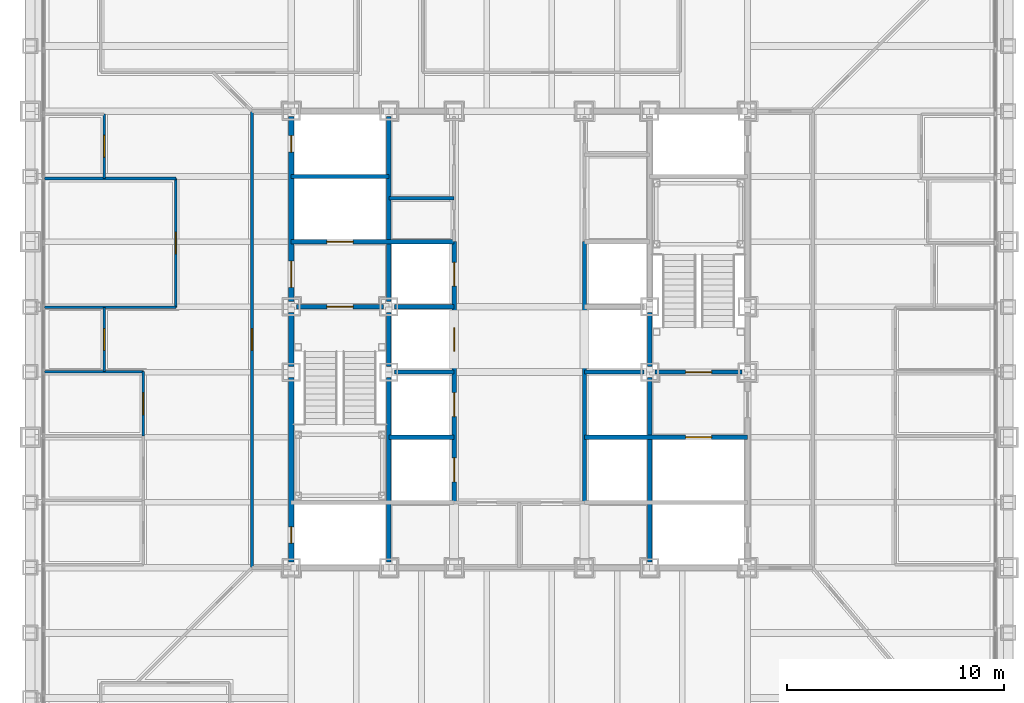
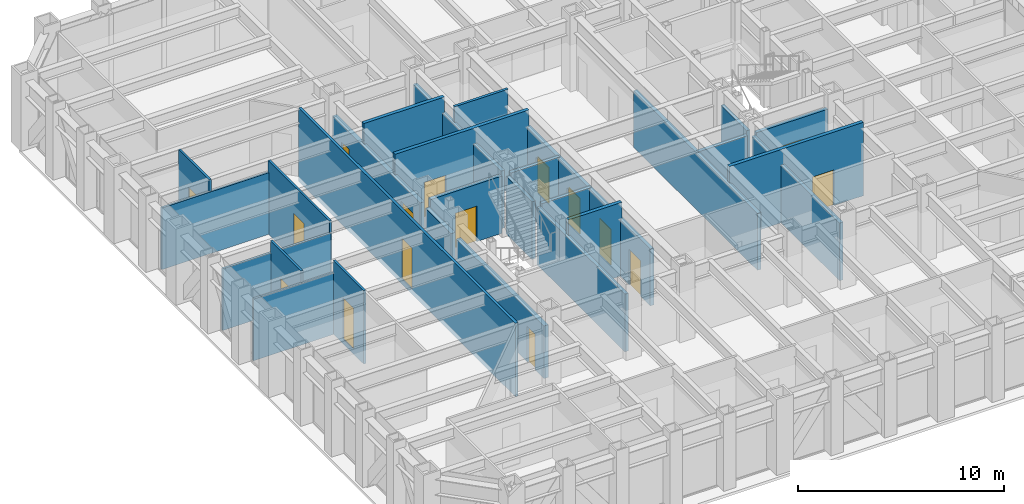
# One storey, part 9 of 16: 28 walls, 16 doors, 16 openings.
"""IFC4 building model written with IfcOpenShell, lengths in metres."""

import ifcopenshell
import ifcopenshell.guid

model = None  # the IFC model being written
_history = None  # IfcOwnerHistory: only IFC2X3 demands one
_inside = {}  # id of a spatial element -> (the spatial element, [elements in it])
_under = {}  # id of a project, library or spatial element -> (it, [spatial elements below it])
_declared = {}  # id of a project -> (the project, [libraries it declares])
_typed = {}  # id of a type object -> (the type object, [elements of that type])
_made_of = {}  # id of a material, layer set ... -> (it, [elements and type objects made of it])


def new_model(schema):
    """Start an empty IFC model of exactly this schema.

    Asked for "IFC4X3", IfcOpenShell would pick the latest addendum, in which some entities
    have other attributes; the version numbers below select the first issue.
    IFC2X3 requires an IfcOwnerHistory on every rooted entity: one is made here for all.
    """
    global model, _history
    if schema == "IFC4X3":
        model = ifcopenshell.file(schema_version=(4, 3, 0, 0))
    else:
        model = ifcopenshell.file(schema=schema)
    _inside.clear()
    _under.clear()
    _declared.clear()
    _typed.clear()
    _made_of.clear()
    _history = None
    if model.schema == "IFC2X3":
        org = make("IfcOrganization", Name="unknown")
        user = make(
            "IfcPersonAndOrganization",
            ThePerson=make("IfcPerson", FamilyName="unknown"),
            TheOrganization=org,
        )
        app = make(
            "IfcApplication",
            ApplicationDeveloper=org,
            Version="unknown",
            ApplicationFullName="unknown",
            ApplicationIdentifier="unknown",
        )
        _history = make(
            "IfcOwnerHistory",
            OwningUser=user,
            OwningApplication=app,
            ChangeAction="ADDED",
            CreationDate=0,
        )
    return model


def make(cls, **values):
    """One entity of the class cls with the attributes given. An attribute that is None is left unset."""
    return model.create_entity(
        cls, **{name: value for name, value in values.items() if value is not None}
    )


def rooted(cls, **values):
    """An entity with a GlobalId (a new one), such as an element, a storey or a relation."""
    return make(cls, GlobalId=ifcopenshell.guid.new(), OwnerHistory=_history, **values)


def si_unit(unit_type, name, prefix=None):
    """IfcSIUnit, for example si_unit("LENGTHUNIT", "METRE", prefix="MILLI")."""
    return make("IfcSIUnit", UnitType=unit_type, Prefix=prefix, Name=name)


def assignment(units):
    """IfcUnitAssignment: the units of a project."""
    return None if units is None else make("IfcUnitAssignment", Units=units)


def point(xyz):
    """IfcCartesianPoint."""
    return None if xyz is None else make("IfcCartesianPoint", Coordinates=xyz)


def direction(xyz):
    """IfcDirection."""
    return None if xyz is None else make("IfcDirection", DirectionRatios=xyz)


def frame(location, z_axis=None, x_axis=None):
    """IfcAxis2Placement3D, a coordinate frame: its origin and axes. An axis left out is left unset."""
    return make(
        "IfcAxis2Placement3D",
        Location=point(location),
        Axis=direction(z_axis),
        RefDirection=direction(x_axis),
    )


def frame_2d(location, x_axis=None):
    """IfcAxis2Placement2D, a coordinate frame in the plane: its origin and x axis."""
    return make(
        "IfcAxis2Placement2D", Location=point(location), RefDirection=direction(x_axis)
    )


def origin():
    """The frame at (0, 0, 0) with its axes left unset."""
    return frame((0.0, 0.0, 0.0))


def place(relative_to, where):
    """IfcLocalPlacement: puts the frame where relative to a parent placement (None: the world)."""
    return make(
        "IfcLocalPlacement", PlacementRelTo=relative_to, RelativePlacement=where
    )


def context(
    kind, dimensions, precision=None, world=None, true_north=None, identifier=None
):
    """IfcGeometricRepresentationContext, for example the 3D "Model" context."""
    return make(
        "IfcGeometricRepresentationContext",
        ContextIdentifier=identifier,
        ContextType=kind,
        CoordinateSpaceDimension=dimensions,
        Precision=precision,
        WorldCoordinateSystem=world,
        TrueNorth=true_north,
    )


def subcontext(parent, identifier, kind, view, scale=None):
    """IfcGeometricRepresentationSubContext, for example "Body" below "Model"."""
    return make(
        "IfcGeometricRepresentationSubContext",
        ContextIdentifier=identifier,
        ContextType=kind,
        ParentContext=parent,
        TargetScale=scale,
        TargetView=view,
    )


def project(units=None, contexts=None):
    """IfcProject with its units and contexts."""
    return rooted(
        "IfcProject",
        Name="project",
        RepresentationContexts=contexts,
        UnitsInContext=assignment(units),
    )


def spatial(cls, under=None, at=None, **own):
    """A site, building, storey or space (cls), placed at a placement, below another one or the project."""
    s = rooted(cls, ObjectPlacement=at, **own)
    if under is not None:
        _under.setdefault(under.id(), (under, []))[1].append(s)
    return s


def profile(cls, at=None, kind="AREA", **sizes):
    """A parametric profile (cls). Its sizes go by their IFC names, for example OverallWidth=200.0."""
    return make(cls, ProfileType=kind, Position=at, **sizes)


def rectangle(**sizes):
    """IfcRectangleProfileDef."""
    return profile("IfcRectangleProfileDef", **sizes)


def extrude(swept, where, along, depth):
    """IfcExtrudedAreaSolid: the profile swept, set in the frame where, extruded along a direction by depth."""
    return make(
        "IfcExtrudedAreaSolid",
        SweptArea=swept,
        Position=where,
        ExtrudedDirection=direction(along),
        Depth=depth,
    )


def shape(context_of_items, identifier, shape_type, items):
    """IfcShapeRepresentation: the items that make up one representation, for example the "Body"."""
    return make(
        "IfcShapeRepresentation",
        ContextOfItems=context_of_items,
        RepresentationIdentifier=identifier,
        RepresentationType=shape_type,
        Items=items,
    )


def material(Name=None, Category=None):
    """IfcMaterial."""
    return make("IfcMaterial", Name=Name, Category=Category)


def layer(
    of_material, thickness, ventilated=None, Name=None, Category=None, Priority=None
):
    """IfcMaterialLayer: one layer of a wall or slab, of a material (None: an air gap)."""
    return make(
        "IfcMaterialLayer",
        Material=of_material,
        LayerThickness=thickness,
        IsVentilated=ventilated,
        Name=Name,
        Category=Category,
        Priority=Priority,
    )


def layer_set(layers, Name=None):
    """IfcMaterialLayerSet."""
    return make("IfcMaterialLayerSet", MaterialLayers=layers, LayerSetName=Name)


def made_of(thing, what):
    """Note that an element or type object is made of a material, layer set ...; save() writes the relation."""
    if what is not None:
        _made_of.setdefault(what.id(), (what, []))[1].append(thing)
    return thing


def type_object(cls, material=None, **own):
    """A type object (cls), such as IfcWallType, which elements share."""
    return made_of(rooted(cls, **own), material)


def element(
    cls,
    number,
    at=None,
    inside=None,
    cuts=None,
    type_object=None,
    material=None,
    context=None,
    identifier="Body",
    shape_type=None,
    held_by="IfcProductDefinitionShape",
    body=None,
    shapes=None,
    **own,
):
    """One element of the class cls, such as IfcWall. Its Tag is "e" and its number.

    at: its placement. inside: the storey or other place that contains it. cuts: it is an
    opening in that element (IfcRelVoidsElement). A single representation is given by context,
    identifier, shape_type and body (its items); several are given by shapes. held_by: the class
    of the entity that holds the representations. save() writes the other relations.
    """
    e = rooted(cls, Tag="e%d" % number, ObjectPlacement=at, **own)
    if body is not None:
        shapes = [shape(context, identifier, shape_type, body)]
    if shapes is not None:
        e.Representation = make(held_by, Representations=shapes)
    if inside is not None:
        _inside.setdefault(inside.id(), (inside, []))[1].append(e)
    if cuts is not None:
        rooted(
            "IfcRelVoidsElement", RelatingBuildingElement=cuts, RelatedOpeningElement=e
        )
    if type_object is not None:
        _typed.setdefault(type_object.id(), (type_object, []))[1].append(e)
    return made_of(e, material)


def fill(opening, filler):
    """IfcRelFillsElement: the door or window that sits in an opening."""
    return rooted(
        "IfcRelFillsElement",
        RelatingOpeningElement=opening,
        RelatedBuildingElement=filler,
    )


def aggregate(whole, parts):
    """IfcRelAggregates: a whole, such as a stair, and the parts it consists of."""
    return rooted("IfcRelAggregates", RelatingObject=whole, RelatedObjects=parts)


def save(model, path):
    """Write the relations noted so far, then the file.

    IfcRelAggregates (storeys below a building ...), IfcRelContainedInSpatialStructure (elements
    in a storey), IfcRelDefinesByType, IfcRelAssociatesMaterial and IfcRelDeclares: one each for
    every whole, place, type object, material and project.
    """
    for whole, parts in _under.values():
        aggregate(whole, parts)
    for where, things in _inside.values():
        rooted(
            "IfcRelContainedInSpatialStructure",
            RelatedElements=things,
            RelatingStructure=where,
        )
    for kind, things in _typed.values():
        rooted("IfcRelDefinesByType", RelatedObjects=things, RelatingType=kind)
    for what, things in _made_of.values():
        rooted("IfcRelAssociatesMaterial", RelatedObjects=things, RelatingMaterial=what)
    for by, libraries in _declared.values():
        rooted("IfcRelDeclares", RelatingContext=by, RelatedDefinitions=libraries)
    model.write(path)


model = new_model("IFC4")

# Units and contexts
model_context = context("Model", 3, precision=1e-05, world=origin(), true_north=direction((0.0, 1.0)))
body_context = subcontext(model_context, "Body", "Model", "MODEL_VIEW")
ifc_project = project(units=[si_unit("LENGTHUNIT", "METRE"), si_unit("AREAUNIT", "SQUARE_METRE"), si_unit("VOLUMEUNIT", "CUBIC_METRE"), si_unit("PLANEANGLEUNIT", "RADIAN"), si_unit("MASSUNIT", "GRAM", prefix="KILO")], contexts=[model_context])

# Site, building, storey
site_placement = place(None, origin())
site = spatial("IfcSite", under=ifc_project, at=site_placement, CompositionType="ELEMENT")
building_placement = place(site_placement, origin())
building = spatial("IfcBuilding", under=site, at=building_placement, Name="Chuquiago Exchange Tower", CompositionType="ELEMENT")
storey_placement = place(building_placement, frame((0.0, 0.0, 33.300048828125)))
storey = spatial("IfcBuildingStorey", under=building, at=storey_placement, Name="L06", CompositionType="ELEMENT", Elevation=33.300048828125)

# Wall, opening, door
ifc_material_1 = material(Name="Concrete masonry, fully grouted", Category="masonry")
ifc_layer_1 = layer(ifc_material_1, 0.25)
ifc_layer_set_1 = layer_set([ifc_layer_1], Name="W1 core wall 250")
wall_type_1 = type_object("IfcWallType", Name="W1 core wall 250", PredefinedType="SOLIDWALL", material=ifc_layer_set_1)
wall_1_placement = place(storey_placement, frame((12.0, 12.25, 0.0), z_axis=(0.0, 0.0, 1.0), x_axis=(0.0, 1.0, 0.0)))
wall_1 = element("IfcWall", 1, at=wall_1_placement, inside=storey, type_object=wall_type_1, Name="CW-L06-00-0", PredefinedType="SOLIDWALL", context=body_context, shape_type="SweptSolid", body=[
    extrude(rectangle(XDim=8.5, YDim=0.25, at=frame_2d((4.25, 0.0))), origin(), (0.0, 0.0, 1.0), 3.11279296875),
])
opening_1_placement = place(wall_1_placement, frame((0.875, 0.0, 0.0)))
opening_1 = element("IfcOpeningElement", 2, at=opening_1_placement, cuts=wall_1, Name="Opening L06-007", PredefinedType="OPENING", context=body_context, shape_type="SweptSolid", body=[
    extrude(rectangle(XDim=0.75, YDim=2.10009765625, at=frame_2d((0.375, 1.050048828125))), frame((0.0, 0.135009765625, 0.0), z_axis=(0.0, -1.0, 0.0), x_axis=(1.0, 0.0, 0.0)), (0.0, 0.0, 1.0), 0.27001953125),
])
ifc_material_2 = material(Name="Steel door, painted", Category="steel")
door_type_1 = type_object("IfcDoorType", Name="D6 riser access door 750x2100", OperationType="SINGLE_SWING_LEFT", PredefinedType="DOOR", material=ifc_material_2)
door_1_placement = place(opening_1_placement, origin())
door_1 = element("IfcDoor", 3, at=door_1_placement, inside=storey, type_object=door_type_1, Name="Riser RW1 door", OperationType="SINGLE_SWING_LEFT", OverallHeight=2.10009765625, OverallWidth=0.75, PredefinedType="DOOR", context=body_context, shape_type="SweptSolid", body=[
    extrude(rectangle(XDim=0.75, YDim=2.10009765625, at=frame_2d((0.375, 1.050048828125))), frame((0.0, 0.02490234375, 0.0), z_axis=(0.0, -1.0, 0.0), x_axis=(1.0, 0.0, 0.0)), (0.0, 0.0, 1.0), 0.050048828125),
])
fill(opening_1, door_1)

# Wall
wall_2_placement = place(storey_placement, frame((12.0, 21.25, 0.0), z_axis=(0.0, 0.0, 1.0), x_axis=(0.0, 1.0, 0.0)))
element("IfcWall", 4, at=wall_2_placement, inside=storey, type_object=wall_type_1, Name="CW-L06-00-1", PredefinedType="SOLIDWALL", context=body_context, shape_type="SweptSolid", body=[
    extrude(rectangle(XDim=2.5, YDim=0.25, at=frame_2d((1.25, 0.0))), origin(), (0.0, 0.0, 1.0), 3.11279296875),
])

# Wall, openings, doors
wall_3_placement = place(storey_placement, frame((12.0, 24.25, 0.0), z_axis=(0.0, 0.0, 1.0), x_axis=(0.0, 1.0, 0.0)))
wall_3 = element("IfcWall", 5, at=wall_3_placement, inside=storey, type_object=wall_type_1, Name="CW-L06-00-2", PredefinedType="SOLIDWALL", context=body_context, shape_type="SweptSolid", body=[
    extrude(rectangle(XDim=8.5, YDim=0.25, at=frame_2d((4.25, 0.0))), origin(), (0.0, 0.0, 1.0), 3.11279296875),
])
opening_2_placement = place(wall_3_placement, frame((0.64990234375, 0.0, 0.0)))
opening_2 = element("IfcOpeningElement", 6, at=opening_2_placement, cuts=wall_3, Name="Opening L06-002", PredefinedType="OPENING", context=body_context, shape_type="SweptSolid", body=[
    extrude(rectangle(XDim=1.199951171875, YDim=2.10009765625, at=frame_2d((0.60009765625, 1.050048828125))), frame((0.0, 0.135009765625, 0.0), z_axis=(0.0, -1.0, 0.0), x_axis=(1.0, 0.0, 0.0)), (0.0, 0.0, 1.0), 0.27001953125),
])
opening_3_placement = place(wall_3_placement, frame((6.875, 0.0, 0.0)))
opening_3 = element("IfcOpeningElement", 7, at=opening_3_placement, cuts=wall_3, Name="Opening L06-008", PredefinedType="OPENING", context=body_context, shape_type="SweptSolid", body=[
    extrude(rectangle(XDim=0.75, YDim=2.10009765625, at=frame_2d((0.375, 1.050048828125))), frame((0.0, 0.135009765625, 0.0), z_axis=(0.0, -1.0, 0.0), x_axis=(1.0, 0.0, 0.0)), (0.0, 0.0, 1.0), 0.27001953125),
])
ifc_material_3 = material(Name="Steel door, painted", Category="steel")
door_type_2 = type_object("IfcDoorType", Name="D5 firefighting lobby door 1200x2100", OperationType="SINGLE_SWING_LEFT", PredefinedType="DOOR", material=ifc_material_3)
door_2_placement = place(opening_2_placement, frame((1.199951171875, 0.0, 0.0), z_axis=(0.0, 0.0, 1.0), x_axis=(-1.0, 0.0, 0.0)))
door_2 = element("IfcDoor", 8, at=door_2_placement, inside=storey, type_object=door_type_2, Name="Firefighting lobby 1 door", OperationType="SINGLE_SWING_RIGHT", OverallHeight=2.10009765625, OverallWidth=1.199951171875, PredefinedType="DOOR", context=body_context, shape_type="SweptSolid", body=[
    extrude(rectangle(XDim=1.199951171875, YDim=2.10009765625, at=frame_2d((0.60009765625, 1.050048828125))), frame((0.0, 0.02490234375, 0.0), z_axis=(0.0, -1.0, 0.0), x_axis=(1.0, 0.0, 0.0)), (0.0, 0.0, 1.0), 0.050048828125),
])
fill(opening_2, door_2)
door_3_placement = place(opening_3_placement, origin())
door_3 = element("IfcDoor", 9, at=door_3_placement, inside=storey, type_object=door_type_1, Name="Riser RW2 door", OperationType="SINGLE_SWING_RIGHT", OverallHeight=2.10009765625, OverallWidth=0.75, PredefinedType="DOOR", context=body_context, shape_type="SweptSolid", body=[
    extrude(rectangle(XDim=0.75, YDim=2.10009765625, at=frame_2d((0.375, 1.050048828125))), frame((0.0, 0.02490234375, 0.0), z_axis=(0.0, -1.0, 0.0), x_axis=(1.0, 0.0, 0.0)), (0.0, 0.0, 1.0), 0.050048828125),
])
fill(opening_3, door_3)

# Wall, opening, door
ifc_material_4 = material(Name="Gypsum board on steel studs, acoustic insulation", Category="steel")
ifc_layer_2 = layer(ifc_material_4, 0.14990234375)
ifc_layer_set_2 = layer_set([ifc_layer_2], Name="W11 corridor wall 150")
wall_type_2 = type_object("IfcWallType", Name="W11 corridor wall 150", PredefinedType="PARTITIONING", material=ifc_layer_set_2)
wall_4_placement = place(storey_placement, frame((10.199951171875, 12.0, -0.300048828125), z_axis=(0.0, 0.0, 1.0), x_axis=(0.0, 1.0, 0.0)))
wall_4 = element("IfcWall", 10, at=wall_4_placement, inside=storey, type_object=wall_type_2, Name="PW-L06-GW0", PredefinedType="PARTITIONING", context=body_context, shape_type="SweptSolid", body=[
    extrude(rectangle(XDim=21.0, YDim=0.14990234375, at=frame_2d((10.5, 0.0))), origin(), (0.0, 0.0, 1.0), 4.340087890625),
])
opening_4_placement = place(wall_4_placement, frame((10.0, 0.0, 0.300048828125)))
opening_4 = element("IfcOpeningElement", 11, at=opening_4_placement, cuts=wall_4, Name="Opening L06-052", PredefinedType="OPENING", context=body_context, shape_type="SweptSolid", body=[
    extrude(rectangle(XDim=1.0, YDim=2.39990234375, at=frame_2d((0.5, 1.199951171875))), frame((0.0, 0.0849609375, 0.0), z_axis=(0.0, -1.0, 0.0), x_axis=(1.0, 0.0, 0.0)), (0.0, 0.0, 1.0), 0.169921875),
])
ifc_material_5 = material(Name="Timber door, laminate faced", Category="wood")
door_type_3 = type_object("IfcDoorType", Name="D9 room door 1000x2400", OperationType="SINGLE_SWING_LEFT", PredefinedType="DOOR", material=ifc_material_5)
door_4_placement = place(opening_4_placement, origin())
door_4 = element("IfcDoor", 12, at=door_4_placement, inside=storey, type_object=door_type_3, Name="Team area door", OperationType="SINGLE_SWING_LEFT", OverallHeight=2.39990234375, OverallWidth=1.0, PredefinedType="DOOR", context=body_context, shape_type="SweptSolid", body=[
    extrude(rectangle(XDim=1.0, YDim=2.39990234375, at=frame_2d((0.5, 1.199951171875))), frame((0.0, 0.02490234375, 0.0), z_axis=(0.0, -1.0, 0.0), x_axis=(1.0, 0.0, 0.0)), (0.0, 0.0, 1.0), 0.050048828125),
])
fill(opening_4, door_4)

ifc_material_6 = material(Name="Concrete masonry, fully grouted", Category="masonry")
ifc_layer_3 = layer(ifc_material_6, 0.199951171875)
ifc_layer_set_3 = layer_set([ifc_layer_3], Name="W2 shaft wall 200")
wall_type_3 = type_object("IfcWallType", Name="W2 shaft wall 200", PredefinedType="SOLIDWALL", material=ifc_layer_set_3)
wall_5_placement = place(storey_placement, frame((12.25, 24.0, 0.0), z_axis=(0.0, 0.0, 1.0), x_axis=(1.0, 0.0, 0.0)))
wall_5 = element("IfcWall", 13, at=wall_5_placement, inside=storey, type_object=wall_type_3, Name="CW-L06-05-0", PredefinedType="SOLIDWALL", context=body_context, shape_type="SweptSolid", body=[
    extrude(rectangle(XDim=4.0, YDim=0.199951171875, at=frame_2d((2.0, 0.0))), origin(), (0.0, 0.0, 1.0), 3.389892578125),
])
opening_5_placement = place(wall_5_placement, frame((1.39990234375, 0.0, 0.0)))
opening_5 = element("IfcOpeningElement", 14, at=opening_5_placement, cuts=wall_5, Name="Opening L06-001", PredefinedType="OPENING", context=body_context, shape_type="SweptSolid", body=[
    extrude(rectangle(XDim=1.199951171875, YDim=2.10009765625, at=frame_2d((0.60009765625, 1.050048828125))), frame((0.0, 0.10986328125, 0.0), z_axis=(0.0, -1.0, 0.0), x_axis=(1.0, 0.0, 0.0)), (0.0, 0.0, 1.0), 0.219970703125),
])
ifc_material_7 = material(Name="Steel door, painted", Category="steel")
door_type_4 = type_object("IfcDoorType", Name="D4 stair door 1200x2100", OperationType="SINGLE_SWING_LEFT", PredefinedType="DOOR", material=ifc_material_7)
door_5_placement = place(opening_5_placement, frame((1.199951171875, 0.0, 0.0), z_axis=(0.0, 0.0, 1.0), x_axis=(-1.0, 0.0, 0.0)))
door_5 = element("IfcDoor", 15, at=door_5_placement, inside=storey, type_object=door_type_4, Name="Stair ST1 door", OperationType="SINGLE_SWING_RIGHT", OverallHeight=2.10009765625, OverallWidth=1.199951171875, PredefinedType="DOOR", context=body_context, shape_type="SweptSolid", body=[
    extrude(rectangle(XDim=1.199951171875, YDim=2.10009765625, at=frame_2d((0.60009765625, 1.050048828125))), frame((0.0, 0.02490234375, 0.0), z_axis=(0.0, -1.0, 0.0), x_axis=(1.0, 0.0, 0.0)), (0.0, 0.0, 1.0), 0.050048828125),
])
fill(opening_5, door_5)

# Wall
wall_6_placement = place(storey_placement, frame((16.75, 24.0, 0.0), z_axis=(0.0, 0.0, 1.0), x_axis=(1.0, 0.0, 0.0)))
element("IfcWall", 16, at=wall_6_placement, inside=storey, type_object=wall_type_3, Name="CW-L06-05-1", PredefinedType="SOLIDWALL", context=body_context, shape_type="SweptSolid", body=[
    extrude(rectangle(XDim=2.75, YDim=0.199951171875, at=frame_2d((1.375, 0.0))), origin(), (0.0, 0.0, 1.0), 3.389892578125),
])

# Wall, opening, door
wall_7_placement = place(storey_placement, frame((12.0, 27.0, 0.0), z_axis=(0.0, 0.0, 1.0), x_axis=(1.0, 0.0, 0.0)))
wall_7 = element("IfcWall", 17, at=wall_7_placement, inside=storey, type_object=wall_type_3, Name="CW-L06-07-0", PredefinedType="SOLIDWALL", context=body_context, shape_type="SweptSolid", body=[
    extrude(rectangle(XDim=7.5, YDim=0.199951171875, at=frame_2d((3.75, 0.0))), origin(), (0.0, 0.0, 1.0), 4.33984375),
])
opening_6_placement = place(wall_7_placement, frame((1.64990234375, 0.0, 0.0)))
opening_6 = element("IfcOpeningElement", 18, at=opening_6_placement, cuts=wall_7, Name="Opening L06-005", PredefinedType="OPENING", context=body_context, shape_type="SweptSolid", body=[
    extrude(rectangle(XDim=1.199951171875, YDim=2.10009765625, at=frame_2d((0.60009765625, 1.050048828125))), frame((0.0, 0.10986328125, 0.0), z_axis=(0.0, -1.0, 0.0), x_axis=(1.0, 0.0, 0.0)), (0.0, 0.0, 1.0), 0.219970703125),
])
ifc_material_8 = material(Name="Stainless steel lift landing door", Category="steel")
door_type_5 = type_object("IfcDoorType", Name="LD2 firefighting lift landing door 1200x2100", OperationType="DOUBLE_DOOR_SLIDING", PredefinedType="DOOR", material=ifc_material_8)
door_6_placement = place(opening_6_placement, origin())
door_6 = element("IfcDoor", 19, at=door_6_placement, inside=storey, type_object=door_type_5, Name="Firefighting lift FL1 landing door", OperationType="DOUBLE_DOOR_SLIDING", OverallHeight=2.10009765625, OverallWidth=1.199951171875, PredefinedType="DOOR", context=body_context, shape_type="SweptSolid", body=[
    extrude(rectangle(XDim=1.199951171875, YDim=2.10009765625, at=frame_2d((0.60009765625, 1.050048828125))), frame((0.0, 0.02490234375, 0.0), z_axis=(0.0, -1.0, 0.0), x_axis=(1.0, 0.0, 0.0)), (0.0, 0.0, 1.0), 0.050048828125),
])
fill(opening_6, door_6)

# Walls
wall_8_placement = place(storey_placement, frame((12.0, 30.0, 0.0), z_axis=(0.0, 0.0, 1.0), x_axis=(1.0, 0.0, 0.0)))
element("IfcWall", 20, at=wall_8_placement, inside=storey, type_object=wall_type_3, Name="CW-L06-09-0", PredefinedType="SOLIDWALL", context=body_context, shape_type="SweptSolid", body=[
    extrude(rectangle(XDim=4.5, YDim=0.199951171875, at=frame_2d((2.25, 0.0))), origin(), (0.0, 0.0, 1.0), 4.33984375),
])
wall_9_placement = place(storey_placement, frame((16.5, 12.25, 0.0), z_axis=(0.0, 0.0, 1.0), x_axis=(0.0, 1.0, 0.0)))
element("IfcWall", 21, at=wall_9_placement, inside=storey, type_object=wall_type_3, Name="CW-L06-13-0", PredefinedType="SOLIDWALL", context=body_context, shape_type="SweptSolid", body=[
    extrude(rectangle(XDim=8.5, YDim=0.199951171875, at=frame_2d((4.25, 0.0))), origin(), (0.0, 0.0, 1.0), 3.412841796875),
])
wall_10_placement = place(storey_placement, frame((16.5, 21.25, 0.0), z_axis=(0.0, 0.0, 1.0), x_axis=(0.0, 1.0, 0.0)))
element("IfcWall", 22, at=wall_10_placement, inside=storey, type_object=wall_type_3, Name="CW-L06-13-1", PredefinedType="SOLIDWALL", context=body_context, shape_type="SweptSolid", body=[
    extrude(rectangle(XDim=2.5, YDim=0.199951171875, at=frame_2d((1.25, 0.0))), origin(), (0.0, 0.0, 1.0), 3.412841796875),
])
wall_11_placement = place(storey_placement, frame((16.5, 24.25, 0.0), z_axis=(0.0, 0.0, 1.0), x_axis=(0.0, 1.0, 0.0)))
element("IfcWall", 23, at=wall_11_placement, inside=storey, type_object=wall_type_3, Name="CW-L06-13-2", PredefinedType="SOLIDWALL", context=body_context, shape_type="SweptSolid", body=[
    extrude(rectangle(XDim=8.5, YDim=0.199951171875, at=frame_2d((4.25, 0.0))), origin(), (0.0, 0.0, 1.0), 3.412841796875),
])
wall_12_placement = place(storey_placement, frame((16.5, 18.0, 0.0), z_axis=(0.0, 0.0, 1.0), x_axis=(1.0, 0.0, 0.0)))
element("IfcWall", 24, at=wall_12_placement, inside=storey, type_object=wall_type_3, Name="CW-L06-14-0", PredefinedType="SOLIDWALL", context=body_context, shape_type="SweptSolid", body=[
    extrude(rectangle(XDim=3.0, YDim=0.199951171875, at=frame_2d((1.5, 0.0))), origin(), (0.0, 0.0, 1.0), 4.33984375),
])

# Wall, opening, door
wall_13_placement = place(storey_placement, frame((25.5, 18.0, 0.0), z_axis=(0.0, 0.0, 1.0), x_axis=(1.0, 0.0, 0.0)))
wall_13 = element("IfcWall", 25, at=wall_13_placement, inside=storey, type_object=wall_type_3, Name="CW-L06-15-0", PredefinedType="SOLIDWALL", context=body_context, shape_type="SweptSolid", body=[
    extrude(rectangle(XDim=7.5, YDim=0.199951171875, at=frame_2d((3.75, 0.0))), origin(), (0.0, 0.0, 1.0), 4.33984375),
])
opening_7_placement = place(wall_13_placement, frame((4.64990234375, 0.0, 0.0)))
opening_7 = element("IfcOpeningElement", 26, at=opening_7_placement, cuts=wall_13, Name="Opening L06-006", PredefinedType="OPENING", context=body_context, shape_type="SweptSolid", body=[
    extrude(rectangle(XDim=1.199951171875, YDim=2.10009765625, at=frame_2d((0.60009765625, 1.050048828125))), frame((0.0, 0.10986328125, 0.0), z_axis=(0.0, -1.0, 0.0), x_axis=(1.0, 0.0, 0.0)), (0.0, 0.0, 1.0), 0.219970703125),
])
door_7_placement = place(opening_7_placement, origin())
door_7 = element("IfcDoor", 27, at=door_7_placement, inside=storey, type_object=door_type_5, Name="Firefighting lift FL2 landing door", OperationType="DOUBLE_DOOR_SLIDING", OverallHeight=2.10009765625, OverallWidth=1.199951171875, PredefinedType="DOOR", context=body_context, shape_type="SweptSolid", body=[
    extrude(rectangle(XDim=1.199951171875, YDim=2.10009765625, at=frame_2d((0.60009765625, 1.050048828125))), frame((0.0, 0.02490234375, 0.0), z_axis=(0.0, -1.0, 0.0), x_axis=(1.0, 0.0, 0.0)), (0.0, 0.0, 1.0), 0.050048828125),
])
fill(opening_7, door_7)

# Walls
for number, where, z_axis, x_axis, name in (
    (28, (16.75, 21.0, 0.0), (0.0, 0.0, 1.0), (1.0, 0.0, 0.0), "CW-L06-16-0"),
    (29, (25.5, 21.0, 0.0), (0.0, 0.0, 1.0), (1.0, 0.0, 0.0), "CW-L06-17-0"),
):
    element("IfcWall", number, at=place(storey_placement, frame(where, z_axis=z_axis, x_axis=x_axis)), inside=storey, type_object=wall_type_3, Name=name, PredefinedType="SOLIDWALL", context=body_context, shape_type="SweptSolid", body=[
        extrude(rectangle(XDim=2.75, YDim=0.199951171875, at=frame_2d((1.375, 0.0))), origin(), (0.0, 0.0, 1.0), 3.389892578125),
    ])

# Wall, opening, door
wall_14_placement = place(storey_placement, frame((28.75, 21.0, 0.0), z_axis=(0.0, 0.0, 1.0), x_axis=(1.0, 0.0, 0.0)))
wall_14 = element("IfcWall", 30, at=wall_14_placement, inside=storey, type_object=wall_type_3, Name="CW-L06-17-1", PredefinedType="SOLIDWALL", context=body_context, shape_type="SweptSolid", body=[
    extrude(rectangle(XDim=4.0, YDim=0.199951171875, at=frame_2d((2.0, 0.0))), origin(), (0.0, 0.0, 1.0), 3.389892578125),
])
opening_8_placement = place(wall_14_placement, frame((1.39990234375, 0.0, 0.0)))
opening_8 = element("IfcOpeningElement", 31, at=opening_8_placement, cuts=wall_14, Name="Opening L06-003", PredefinedType="OPENING", context=body_context, shape_type="SweptSolid", body=[
    extrude(rectangle(XDim=1.199951171875, YDim=2.10009765625, at=frame_2d((0.60009765625, 1.050048828125))), frame((0.0, 0.10986328125, 0.0), z_axis=(0.0, -1.0, 0.0), x_axis=(1.0, 0.0, 0.0)), (0.0, 0.0, 1.0), 0.219970703125),
])
door_8_placement = place(opening_8_placement, origin())
door_8 = element("IfcDoor", 32, at=door_8_placement, inside=storey, type_object=door_type_4, Name="Stair ST2 door", OperationType="SINGLE_SWING_LEFT", OverallHeight=2.10009765625, OverallWidth=1.199951171875, PredefinedType="DOOR", context=body_context, shape_type="SweptSolid", body=[
    extrude(rectangle(XDim=1.199951171875, YDim=2.10009765625, at=frame_2d((0.60009765625, 1.050048828125))), frame((0.0, 0.02490234375, 0.0), z_axis=(0.0, -1.0, 0.0), x_axis=(1.0, 0.0, 0.0)), (0.0, 0.0, 1.0), 0.050048828125),
])
fill(opening_8, door_8)

# Wall, openings, doors
wall_15_placement = place(storey_placement, frame((19.5, 15.0, 0.0), z_axis=(0.0, 0.0, 1.0), x_axis=(0.0, 1.0, 0.0)))
wall_15 = element("IfcWall", 33, at=wall_15_placement, inside=storey, type_object=wall_type_3, Name="CW-L06-19-0", PredefinedType="SOLIDWALL", context=body_context, shape_type="SweptSolid", body=[
    extrude(rectangle(XDim=12.0, YDim=0.199951171875, at=frame_2d((6.0, 0.0))), origin(), (0.0, 0.0, 1.0), 3.364501953125),
])
opening_9_placement = place(wall_15_placement, frame((0.949951171875, 0.0, 0.0)))
opening_9 = element("IfcOpeningElement", 34, at=opening_9_placement, cuts=wall_15, Name="Opening L06-017", PredefinedType="OPENING", context=body_context, shape_type="SweptSolid", body=[
    extrude(rectangle(XDim=1.10009765625, YDim=2.10009765625, at=frame_2d((0.550048828125, 1.050048828125))), frame((0.0, 0.10986328125, 0.0), z_axis=(0.0, -1.0, 0.0), x_axis=(1.0, 0.0, 0.0)), (0.0, 0.0, 1.0), 0.219970703125),
])
opening_10_placement = place(wall_15_placement, frame((3.949951171875, 0.0, 0.0)))
opening_10 = element("IfcOpeningElement", 35, at=opening_10_placement, cuts=wall_15, Name="Opening L06-018", PredefinedType="OPENING", context=body_context, shape_type="SweptSolid", body=[
    extrude(rectangle(XDim=1.10009765625, YDim=2.10009765625, at=frame_2d((0.550048828125, 1.050048828125))), frame((0.0, 0.10986328125, 0.0), z_axis=(0.0, -1.0, 0.0), x_axis=(1.0, 0.0, 0.0)), (0.0, 0.0, 1.0), 0.219970703125),
])
opening_11_placement = place(wall_15_placement, frame((6.949951171875, 0.0, 0.0)))
opening_11 = element("IfcOpeningElement", 36, at=opening_11_placement, cuts=wall_15, Name="Opening L06-019", PredefinedType="OPENING", context=body_context, shape_type="SweptSolid", body=[
    extrude(rectangle(XDim=1.10009765625, YDim=2.10009765625, at=frame_2d((0.550048828125, 1.050048828125))), frame((0.0, 0.10986328125, 0.0), z_axis=(0.0, -1.0, 0.0), x_axis=(1.0, 0.0, 0.0)), (0.0, 0.0, 1.0), 0.219970703125),
])
opening_12_placement = place(wall_15_placement, frame((9.949951171875, 0.0, 0.0)))
opening_12 = element("IfcOpeningElement", 37, at=opening_12_placement, cuts=wall_15, Name="Opening L06-020", PredefinedType="OPENING", context=body_context, shape_type="SweptSolid", body=[
    extrude(rectangle(XDim=1.10009765625, YDim=2.10009765625, at=frame_2d((0.550048828125, 1.050048828125))), frame((0.0, 0.10986328125, 0.0), z_axis=(0.0, -1.0, 0.0), x_axis=(1.0, 0.0, 0.0)), (0.0, 0.0, 1.0), 0.219970703125),
])
ifc_material_9 = material(Name="Stainless steel lift landing door", Category="steel")
door_type_6 = type_object("IfcDoorType", Name="LD1 lift landing door 1100x2100", OperationType="DOUBLE_DOOR_SLIDING", PredefinedType="DOOR", material=ifc_material_9)
door_9_placement = place(opening_9_placement, origin())
door_9 = element("IfcDoor", 38, at=door_9_placement, inside=storey, type_object=door_type_6, Name="Lift LA1 landing door", OperationType="DOUBLE_DOOR_SLIDING", OverallHeight=2.10009765625, OverallWidth=1.10009765625, PredefinedType="DOOR", context=body_context, shape_type="SweptSolid", body=[
    extrude(rectangle(XDim=1.10009765625, YDim=2.10009765625, at=frame_2d((0.550048828125, 1.050048828125))), frame((0.0, 0.02490234375, 0.0), z_axis=(0.0, -1.0, 0.0), x_axis=(1.0, 0.0, 0.0)), (0.0, 0.0, 1.0), 0.050048828125),
])
fill(opening_9, door_9)
door_10_placement = place(opening_10_placement, origin())
door_10 = element("IfcDoor", 39, at=door_10_placement, inside=storey, type_object=door_type_6, Name="Lift LA2 landing door", OperationType="DOUBLE_DOOR_SLIDING", OverallHeight=2.10009765625, OverallWidth=1.10009765625, PredefinedType="DOOR", context=body_context, shape_type="SweptSolid", body=[
    extrude(rectangle(XDim=1.10009765625, YDim=2.10009765625, at=frame_2d((0.550048828125, 1.050048828125))), frame((0.0, 0.02490234375, 0.0), z_axis=(0.0, -1.0, 0.0), x_axis=(1.0, 0.0, 0.0)), (0.0, 0.0, 1.0), 0.050048828125),
])
fill(opening_10, door_10)
door_11_placement = place(opening_11_placement, origin())
door_11 = element("IfcDoor", 40, at=door_11_placement, inside=storey, type_object=door_type_6, Name="Lift LA3 landing door", OperationType="DOUBLE_DOOR_SLIDING", OverallHeight=2.10009765625, OverallWidth=1.10009765625, PredefinedType="DOOR", context=body_context, shape_type="SweptSolid", body=[
    extrude(rectangle(XDim=1.10009765625, YDim=2.10009765625, at=frame_2d((0.550048828125, 1.050048828125))), frame((0.0, 0.02490234375, 0.0), z_axis=(0.0, -1.0, 0.0), x_axis=(1.0, 0.0, 0.0)), (0.0, 0.0, 1.0), 0.050048828125),
])
fill(opening_11, door_11)
door_12_placement = place(opening_12_placement, origin())
door_12 = element("IfcDoor", 41, at=door_12_placement, inside=storey, type_object=door_type_6, Name="Lift LA4 landing door", OperationType="DOUBLE_DOOR_SLIDING", OverallHeight=2.10009765625, OverallWidth=1.10009765625, PredefinedType="DOOR", context=body_context, shape_type="SweptSolid", body=[
    extrude(rectangle(XDim=1.10009765625, YDim=2.10009765625, at=frame_2d((0.550048828125, 1.050048828125))), frame((0.0, 0.02490234375, 0.0), z_axis=(0.0, -1.0, 0.0), x_axis=(1.0, 0.0, 0.0)), (0.0, 0.0, 1.0), 0.050048828125),
])
fill(opening_12, door_12)

# Walls
wall_16_placement = place(storey_placement, frame((25.5, 15.0, 0.0), z_axis=(0.0, 0.0, 1.0), x_axis=(0.0, 1.0, 0.0)))
element("IfcWall", 42, at=wall_16_placement, inside=storey, type_object=wall_type_3, Name="CW-L06-22-0", PredefinedType="SOLIDWALL", context=body_context, shape_type="SweptSolid", body=[
    extrude(rectangle(XDim=12.0, YDim=0.199951171875, at=frame_2d((6.0, 0.0))), origin(), (0.0, 0.0, 1.0), 3.364501953125),
])
wall_17_placement = place(storey_placement, frame((28.5, 12.25, 0.0), z_axis=(0.0, 0.0, 1.0), x_axis=(0.0, 1.0, 0.0)))
element("IfcWall", 43, at=wall_17_placement, inside=storey, type_object=wall_type_3, Name="CW-L06-24-0", PredefinedType="SOLIDWALL", context=body_context, shape_type="SweptSolid", body=[
    extrude(rectangle(XDim=8.5, YDim=0.199951171875, at=frame_2d((4.25, 0.0))), origin(), (0.0, 0.0, 1.0), 3.412841796875),
])
wall_18_placement = place(storey_placement, frame((28.5, 21.25, 0.0), z_axis=(0.0, 0.0, 1.0), x_axis=(0.0, 1.0, 0.0)))
element("IfcWall", 44, at=wall_18_placement, inside=storey, type_object=wall_type_3, Name="CW-L06-24-1", PredefinedType="SOLIDWALL", context=body_context, shape_type="SweptSolid", body=[
    extrude(rectangle(XDim=2.5, YDim=0.199951171875, at=frame_2d((1.25, 0.0))), origin(), (0.0, 0.0, 1.0), 3.412841796875),
])
ifc_material_10 = material(Name="Gypsum board on steel studs", Category="steel")
ifc_layer_4 = layer(ifc_material_10, 0.14990234375)
ifc_layer_set_4 = layer_set([ifc_layer_4], Name="W3 core partition 150")
wall_type_4 = type_object("IfcWallType", Name="W3 core partition 150", PredefinedType="PARTITIONING", material=ifc_layer_set_4)
wall_19_placement = place(storey_placement, frame((16.5, 29.0, 0.0), z_axis=(0.0, 0.0, 1.0), x_axis=(1.0, 0.0, 0.0)))
element("IfcWall", 45, at=wall_19_placement, inside=storey, type_object=wall_type_4, Name="CW-L06-WCMS", PredefinedType="PARTITIONING", context=body_context, shape_type="SweptSolid", body=[
    extrude(rectangle(XDim=3.0, YDim=0.14990234375, at=frame_2d((1.5, 0.0))), origin(), (0.0, 0.0, 1.0), 4.33984375),
])
ifc_material_11 = material(Name="Gypsum board on steel studs", Category="steel")
ifc_layer_5 = layer(ifc_material_11, 0.1201171875)
ifc_layer_set_5 = layer_set([ifc_layer_5], Name="W4 partition 120")
wall_type_5 = type_object("IfcWallType", Name="W4 partition 120", PredefinedType="PARTITIONING", material=ifc_layer_set_5)
wall_20_placement = place(storey_placement, frame((0.657470703125, 21.01904296875, -0.300048828125), z_axis=(0.0, 0.0, 1.0), x_axis=(1.0, 0.0, 0.0)))
element("IfcWall", 46, at=wall_20_placement, inside=storey, type_object=wall_type_5, Name="PW-L06-W02102", PredefinedType="PARTITIONING", context=body_context, shape_type="SweptSolid", body=[
    extrude(rectangle(XDim=4.54248046875, YDim=0.1201171875, at=frame_2d((2.271240234375, 0.0))), origin(), (0.0, 0.0, 1.0), 3.646484375),
])
for number, where, z_axis, x_axis, name in (
    (47, (0.657470703125, 23.98095703125, -0.300048828125), (0.0, 0.0, 1.0), (1.0, 0.0, 0.0), "PW-L06-W02398"),
    (48, (0.657470703125, 29.904296875, -0.300048828125), (0.0, 0.0, 1.0), (1.0, 0.0, 0.0), "PW-L06-W02990"),
):
    element("IfcWall", number, at=place(storey_placement, frame(where, z_axis=z_axis, x_axis=x_axis)), inside=storey, type_object=wall_type_5, Name=name, PredefinedType="PARTITIONING", context=body_context, shape_type="SweptSolid", body=[
        extrude(rectangle(XDim=6.04248046875, YDim=0.1201171875, at=frame_2d((3.021240234375, 0.0))), origin(), (0.0, 0.0, 1.0), 3.646484375),
    ])

# Wall, opening, door
wall_21_placement = place(storey_placement, frame((5.199951171875, 18.057373046875, -0.300048828125), z_axis=(0.0, 0.0, 1.0), x_axis=(0.0, 1.0, 0.0)))
wall_21 = element("IfcWall", 49, at=wall_21_placement, inside=storey, type_object=wall_type_5, Name="PW-L06-WF01806", PredefinedType="PARTITIONING", context=body_context, shape_type="SweptSolid", body=[
    extrude(rectangle(XDim=2.961669921875, YDim=0.1201171875, at=frame_2d((1.48095703125, 0.0))), origin(), (0.0, 0.0, 1.0), 4.340087890625),
])
opening_13_placement = place(wall_21_placement, frame((0.98095703125, 0.0, 0.300048828125)))
opening_13 = element("IfcOpeningElement", 50, at=opening_13_placement, cuts=wall_21, Name="Opening L06-048", PredefinedType="OPENING", context=body_context, shape_type="SweptSolid", body=[
    extrude(rectangle(XDim=1.0, YDim=2.39990234375, at=frame_2d((0.5, 1.199951171875))), frame((0.0, 0.070068359375, 0.0), z_axis=(0.0, -1.0, 0.0), x_axis=(1.0, 0.0, 0.0)), (0.0, 0.0, 1.0), 0.14013671875),
])
door_13_placement = place(opening_13_placement, origin())
door_13 = element("IfcDoor", 51, at=door_13_placement, inside=storey, type_object=door_type_3, Name="Office door", OperationType="SINGLE_SWING_RIGHT", OverallHeight=2.39990234375, OverallWidth=1.0, PredefinedType="DOOR", context=body_context, shape_type="SweptSolid", body=[
    extrude(rectangle(XDim=1.0, YDim=2.39990234375, at=frame_2d((0.5, 1.199951171875))), frame((0.0, 0.02490234375, 0.0), z_axis=(0.0, -1.0, 0.0), x_axis=(1.0, 0.0, 0.0)), (0.0, 0.0, 1.0), 0.050048828125),
])
fill(opening_13, door_13)

wall_22_placement = place(storey_placement, frame((3.39990234375, 21.01904296875, -0.300048828125), z_axis=(0.0, 0.0, 1.0), x_axis=(0.0, 1.0, 0.0)))
wall_22 = element("IfcWall", 52, at=wall_22_placement, inside=storey, type_object=wall_type_5, Name="PW-L06-WF02102", PredefinedType="PARTITIONING", context=body_context, shape_type="SweptSolid", body=[
    extrude(rectangle(XDim=2.9619140625, YDim=0.1201171875, at=frame_2d((1.48095703125, 0.0))), origin(), (0.0, 0.0, 1.0), 4.340087890625),
])
opening_14_placement = place(wall_22_placement, frame((0.98095703125, 0.0, 0.300048828125)))
opening_14 = element("IfcOpeningElement", 53, at=opening_14_placement, cuts=wall_22, Name="Opening L06-049", PredefinedType="OPENING", context=body_context, shape_type="SweptSolid", body=[
    extrude(rectangle(XDim=1.0, YDim=2.39990234375, at=frame_2d((0.5, 1.199951171875))), frame((0.0, 0.070068359375, 0.0), z_axis=(0.0, -1.0, 0.0), x_axis=(1.0, 0.0, 0.0)), (0.0, 0.0, 1.0), 0.14013671875),
])
ifc_material_12 = material(Name="Timber frame door, full height glazed panel", Category="wood")
door_type_7 = type_object("IfcDoorType", Name="D14 glazed meeting room door 1000x2400", OperationType="SINGLE_SWING_LEFT", PredefinedType="DOOR", material=ifc_material_12)
door_14_placement = place(opening_14_placement, origin())
door_14 = element("IfcDoor", 54, at=door_14_placement, inside=storey, type_object=door_type_7, Name="Focus room door", OperationType="SINGLE_SWING_RIGHT", OverallHeight=2.39990234375, OverallWidth=1.0, PredefinedType="DOOR", context=body_context, shape_type="SweptSolid", body=[
    extrude(rectangle(XDim=1.0, YDim=2.39990234375, at=frame_2d((0.5, 1.199951171875))), frame((0.0, 0.02490234375, 0.0), z_axis=(0.0, -1.0, 0.0), x_axis=(1.0, 0.0, 0.0)), (0.0, 0.0, 1.0), 0.050048828125),
])
fill(opening_14, door_14)

wall_23_placement = place(storey_placement, frame((6.699951171875, 23.98095703125, -0.300048828125), z_axis=(0.0, 0.0, 1.0), x_axis=(0.0, 1.0, 0.0)))
wall_23 = element("IfcWall", 55, at=wall_23_placement, inside=storey, type_object=wall_type_5, Name="PW-L06-WF02398", PredefinedType="PARTITIONING", context=body_context, shape_type="SweptSolid", body=[
    extrude(rectangle(XDim=5.92333984375, YDim=0.1201171875, at=frame_2d((2.961669921875, 0.0))), origin(), (0.0, 0.0, 1.0), 4.340087890625),
])
opening_15_placement = place(wall_23_placement, frame((2.4619140625, 0.0, 0.300048828125)))
opening_15 = element("IfcOpeningElement", 56, at=opening_15_placement, cuts=wall_23, Name="Opening L06-050", PredefinedType="OPENING", context=body_context, shape_type="SweptSolid", body=[
    extrude(rectangle(XDim=1.0, YDim=2.39990234375, at=frame_2d((0.5, 1.199951171875))), frame((0.0, 0.070068359375, 0.0), z_axis=(0.0, -1.0, 0.0), x_axis=(1.0, 0.0, 0.0)), (0.0, 0.0, 1.0), 0.14013671875),
])
door_15_placement = place(opening_15_placement, origin())
door_15 = element("IfcDoor", 57, at=door_15_placement, inside=storey, type_object=door_type_3, Name="Risk management office door", OperationType="SINGLE_SWING_RIGHT", OverallHeight=2.39990234375, OverallWidth=1.0, PredefinedType="DOOR", context=body_context, shape_type="SweptSolid", body=[
    extrude(rectangle(XDim=1.0, YDim=2.39990234375, at=frame_2d((0.5, 1.199951171875))), frame((0.0, 0.02490234375, 0.0), z_axis=(0.0, -1.0, 0.0), x_axis=(1.0, 0.0, 0.0)), (0.0, 0.0, 1.0), 0.050048828125),
])
fill(opening_15, door_15)

wall_24_placement = place(storey_placement, frame((3.39990234375, 29.904296875, -0.300048828125), z_axis=(0.0, 0.0, 1.0), x_axis=(0.0, 1.0, 0.0)))
wall_24 = element("IfcWall", 58, at=wall_24_placement, inside=storey, type_object=wall_type_5, Name="PW-L06-WF02990", PredefinedType="PARTITIONING", context=body_context, shape_type="SweptSolid", body=[
    extrude(rectangle(XDim=2.9619140625, YDim=0.1201171875, at=frame_2d((1.48095703125, 0.0))), origin(), (0.0, 0.0, 1.0), 4.340087890625),
])
opening_16_placement = place(wall_24_placement, frame((0.98095703125, 0.0, 0.300048828125)))
opening_16 = element("IfcOpeningElement", 59, at=opening_16_placement, cuts=wall_24, Name="Opening L06-051", PredefinedType="OPENING", context=body_context, shape_type="SweptSolid", body=[
    extrude(rectangle(XDim=1.0, YDim=2.39990234375, at=frame_2d((0.5, 1.199951171875))), frame((0.0, 0.070068359375, 0.0), z_axis=(0.0, -1.0, 0.0), x_axis=(1.0, 0.0, 0.0)), (0.0, 0.0, 1.0), 0.14013671875),
])
door_16_placement = place(opening_16_placement, origin())
door_16 = element("IfcDoor", 60, at=door_16_placement, inside=storey, type_object=door_type_7, Name="Focus room door", OperationType="SINGLE_SWING_LEFT", OverallHeight=2.39990234375, OverallWidth=1.0, PredefinedType="DOOR", context=body_context, shape_type="SweptSolid", body=[
    extrude(rectangle(XDim=1.0, YDim=2.39990234375, at=frame_2d((0.5, 1.199951171875))), frame((0.0, 0.02490234375, 0.0), z_axis=(0.0, -1.0, 0.0), x_axis=(1.0, 0.0, 0.0)), (0.0, 0.0, 1.0), 0.050048828125),
])
fill(opening_16, door_16)

save(model, "model.ifc")
